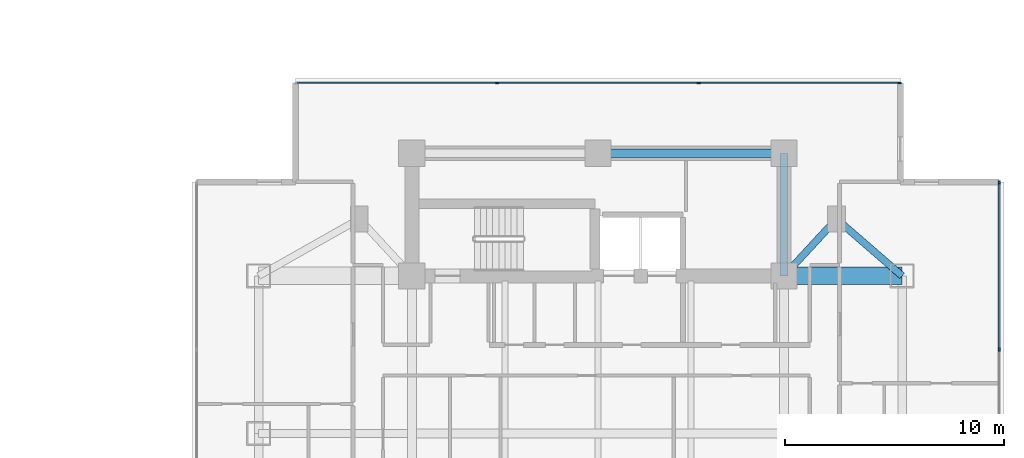
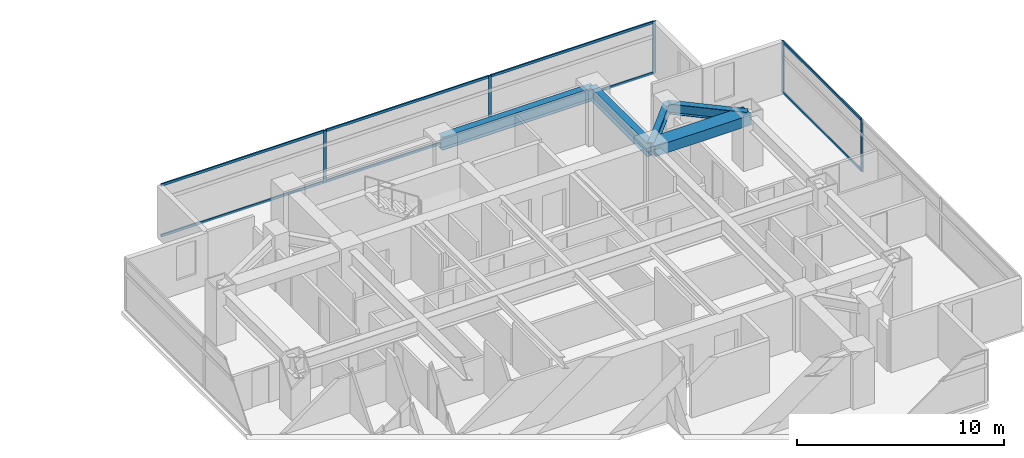
# One storey, part 10 of 25: 13 members, 5 beams, 2 elements without a shape of their own.
"""IFC4 building model written with IfcOpenShell, lengths in metres."""

import ifcopenshell
import ifcopenshell.guid

model = None  # the IFC model being written
_history = None  # IfcOwnerHistory: only IFC2X3 demands one
_inside = {}  # id of a spatial element -> (the spatial element, [elements in it])
_under = {}  # id of a project, library or spatial element -> (it, [spatial elements below it])
_declared = {}  # id of a project -> (the project, [libraries it declares])
_typed = {}  # id of a type object -> (the type object, [elements of that type])
_made_of = {}  # id of a material, layer set ... -> (it, [elements and type objects made of it])


def new_model(schema):
    """Start an empty IFC model of exactly this schema.

    Asked for "IFC4X3", IfcOpenShell would pick the latest addendum, in which some entities
    have other attributes; the version numbers below select the first issue.
    IFC2X3 requires an IfcOwnerHistory on every rooted entity: one is made here for all.
    """
    global model, _history
    if schema == "IFC4X3":
        model = ifcopenshell.file(schema_version=(4, 3, 0, 0))
    else:
        model = ifcopenshell.file(schema=schema)
    _inside.clear()
    _under.clear()
    _declared.clear()
    _typed.clear()
    _made_of.clear()
    _history = None
    if model.schema == "IFC2X3":
        org = make("IfcOrganization", Name="unknown")
        user = make(
            "IfcPersonAndOrganization",
            ThePerson=make("IfcPerson", FamilyName="unknown"),
            TheOrganization=org,
        )
        app = make(
            "IfcApplication",
            ApplicationDeveloper=org,
            Version="unknown",
            ApplicationFullName="unknown",
            ApplicationIdentifier="unknown",
        )
        _history = make(
            "IfcOwnerHistory",
            OwningUser=user,
            OwningApplication=app,
            ChangeAction="ADDED",
            CreationDate=0,
        )
    return model


def make(cls, **values):
    """One entity of the class cls with the attributes given. An attribute that is None is left unset."""
    return model.create_entity(
        cls, **{name: value for name, value in values.items() if value is not None}
    )


def rooted(cls, **values):
    """An entity with a GlobalId (a new one), such as an element, a storey or a relation."""
    return make(cls, GlobalId=ifcopenshell.guid.new(), OwnerHistory=_history, **values)


def si_unit(unit_type, name, prefix=None):
    """IfcSIUnit, for example si_unit("LENGTHUNIT", "METRE", prefix="MILLI")."""
    return make("IfcSIUnit", UnitType=unit_type, Prefix=prefix, Name=name)


def assignment(units):
    """IfcUnitAssignment: the units of a project."""
    return None if units is None else make("IfcUnitAssignment", Units=units)


def point(xyz):
    """IfcCartesianPoint."""
    return None if xyz is None else make("IfcCartesianPoint", Coordinates=xyz)


def direction(xyz):
    """IfcDirection."""
    return None if xyz is None else make("IfcDirection", DirectionRatios=xyz)


def frame(location, z_axis=None, x_axis=None):
    """IfcAxis2Placement3D, a coordinate frame: its origin and axes. An axis left out is left unset."""
    return make(
        "IfcAxis2Placement3D",
        Location=point(location),
        Axis=direction(z_axis),
        RefDirection=direction(x_axis),
    )


def frame_2d(location, x_axis=None):
    """IfcAxis2Placement2D, a coordinate frame in the plane: its origin and x axis."""
    return make(
        "IfcAxis2Placement2D", Location=point(location), RefDirection=direction(x_axis)
    )


def origin():
    """The frame at (0, 0, 0) with its axes left unset."""
    return frame((0.0, 0.0, 0.0))


def origin_2d():
    """The frame at (0, 0) in the plane with its x axis left unset."""
    return frame_2d((0.0, 0.0))


def place(relative_to, where):
    """IfcLocalPlacement: puts the frame where relative to a parent placement (None: the world)."""
    return make(
        "IfcLocalPlacement", PlacementRelTo=relative_to, RelativePlacement=where
    )


def context(
    kind, dimensions, precision=None, world=None, true_north=None, identifier=None
):
    """IfcGeometricRepresentationContext, for example the 3D "Model" context."""
    return make(
        "IfcGeometricRepresentationContext",
        ContextIdentifier=identifier,
        ContextType=kind,
        CoordinateSpaceDimension=dimensions,
        Precision=precision,
        WorldCoordinateSystem=world,
        TrueNorth=true_north,
    )


def subcontext(parent, identifier, kind, view, scale=None):
    """IfcGeometricRepresentationSubContext, for example "Body" below "Model"."""
    return make(
        "IfcGeometricRepresentationSubContext",
        ContextIdentifier=identifier,
        ContextType=kind,
        ParentContext=parent,
        TargetScale=scale,
        TargetView=view,
    )


def project(units=None, contexts=None):
    """IfcProject with its units and contexts."""
    return rooted(
        "IfcProject",
        Name="project",
        RepresentationContexts=contexts,
        UnitsInContext=assignment(units),
    )


def spatial(cls, under=None, at=None, **own):
    """A site, building, storey or space (cls), placed at a placement, below another one or the project."""
    s = rooted(cls, ObjectPlacement=at, **own)
    if under is not None:
        _under.setdefault(under.id(), (under, []))[1].append(s)
    return s


def profile(cls, at=None, kind="AREA", **sizes):
    """A parametric profile (cls). Its sizes go by their IFC names, for example OverallWidth=200.0."""
    return make(cls, ProfileType=kind, Position=at, **sizes)


def rectangle(**sizes):
    """IfcRectangleProfileDef."""
    return profile("IfcRectangleProfileDef", **sizes)


def i_section(**sizes):
    """IfcIShapeProfileDef."""
    return profile("IfcIShapeProfileDef", **sizes)


def extrude(swept, where, along, depth):
    """IfcExtrudedAreaSolid: the profile swept, set in the frame where, extruded along a direction by depth."""
    return make(
        "IfcExtrudedAreaSolid",
        SweptArea=swept,
        Position=where,
        ExtrudedDirection=direction(along),
        Depth=depth,
    )


def shape(context_of_items, identifier, shape_type, items):
    """IfcShapeRepresentation: the items that make up one representation, for example the "Body"."""
    return make(
        "IfcShapeRepresentation",
        ContextOfItems=context_of_items,
        RepresentationIdentifier=identifier,
        RepresentationType=shape_type,
        Items=items,
    )


def material(Name=None, Category=None):
    """IfcMaterial."""
    return make("IfcMaterial", Name=Name, Category=Category)


def material_profile(
    of_material, cross_section, Name=None, Category=None, Priority=None
):
    """IfcMaterialProfile: a cross section and its material."""
    return make(
        "IfcMaterialProfile",
        Name=Name,
        Material=of_material,
        Profile=cross_section,
        Priority=Priority,
        Category=Category,
    )


def profile_set(profiles, Name=None, composite=None):
    """IfcMaterialProfileSet."""
    return make(
        "IfcMaterialProfileSet",
        Name=Name,
        MaterialProfiles=profiles,
        CompositeProfile=composite,
    )


def made_of(thing, what):
    """Note that an element or type object is made of a material, layer set ...; save() writes the relation."""
    if what is not None:
        _made_of.setdefault(what.id(), (what, []))[1].append(thing)
    return thing


def type_object(cls, material=None, **own):
    """A type object (cls), such as IfcWallType, which elements share."""
    return made_of(rooted(cls, **own), material)


def element(
    cls,
    number,
    at=None,
    inside=None,
    cuts=None,
    type_object=None,
    material=None,
    context=None,
    identifier="Body",
    shape_type=None,
    held_by="IfcProductDefinitionShape",
    body=None,
    shapes=None,
    **own,
):
    """One element of the class cls, such as IfcWall. Its Tag is "e" and its number.

    at: its placement. inside: the storey or other place that contains it. cuts: it is an
    opening in that element (IfcRelVoidsElement). A single representation is given by context,
    identifier, shape_type and body (its items); several are given by shapes. held_by: the class
    of the entity that holds the representations. save() writes the other relations.
    """
    e = rooted(cls, Tag="e%d" % number, ObjectPlacement=at, **own)
    if body is not None:
        shapes = [shape(context, identifier, shape_type, body)]
    if shapes is not None:
        e.Representation = make(held_by, Representations=shapes)
    if inside is not None:
        _inside.setdefault(inside.id(), (inside, []))[1].append(e)
    if cuts is not None:
        rooted(
            "IfcRelVoidsElement", RelatingBuildingElement=cuts, RelatedOpeningElement=e
        )
    if type_object is not None:
        _typed.setdefault(type_object.id(), (type_object, []))[1].append(e)
    return made_of(e, material)


def aggregate(whole, parts):
    """IfcRelAggregates: a whole, such as a stair, and the parts it consists of."""
    return rooted("IfcRelAggregates", RelatingObject=whole, RelatedObjects=parts)


def save(model, path):
    """Write the relations noted so far, then the file.

    IfcRelAggregates (storeys below a building ...), IfcRelContainedInSpatialStructure (elements
    in a storey), IfcRelDefinesByType, IfcRelAssociatesMaterial and IfcRelDeclares: one each for
    every whole, place, type object, material and project.
    """
    for whole, parts in _under.values():
        aggregate(whole, parts)
    for where, things in _inside.values():
        rooted(
            "IfcRelContainedInSpatialStructure",
            RelatedElements=things,
            RelatingStructure=where,
        )
    for kind, things in _typed.values():
        rooted("IfcRelDefinesByType", RelatedObjects=things, RelatingType=kind)
    for what, things in _made_of.values():
        rooted("IfcRelAssociatesMaterial", RelatedObjects=things, RelatingMaterial=what)
    for by, libraries in _declared.values():
        rooted("IfcRelDeclares", RelatingContext=by, RelatedDefinitions=libraries)
    model.write(path)


model = new_model("IFC4")

# Units and contexts
model_context = context("Model", 3, precision=1e-05, world=origin(), true_north=direction((0.0, 1.0)))
body_context = subcontext(model_context, "Body", "Model", "MODEL_VIEW")
ifc_project = project(units=[si_unit("LENGTHUNIT", "METRE"), si_unit("AREAUNIT", "SQUARE_METRE"), si_unit("VOLUMEUNIT", "CUBIC_METRE"), si_unit("PLANEANGLEUNIT", "RADIAN"), si_unit("MASSUNIT", "GRAM", prefix="KILO")], contexts=[model_context])

# Site, building, storey
site_placement = place(None, origin())
site = spatial("IfcSite", under=ifc_project, at=site_placement, CompositionType="ELEMENT")
building_placement = place(site_placement, origin())
building = spatial("IfcBuilding", under=site, at=building_placement, Name="Mirazonda Arch Towers", CompositionType="ELEMENT")
storey_placement = place(building_placement, frame((0.0, 0.0, 104.89990234375)))
storey = spatial("IfcBuildingStorey", under=building, at=storey_placement, Name="L29", CompositionType="ELEMENT", Elevation=104.89990234375)

# Beams
ifc_material_1 = material(Name="Steel ASTM A992 Grade 50", Category="steel")
ifc_material_profile_1 = material_profile(ifc_material_1, i_section(OverallWidth=0.324951171875, OverallDepth=0.615966796875, WebThickness=0.013916015625, FlangeThickness=0.021484375, at=origin_2d()), Name="W24X117")
ifc_profile_set_1 = profile_set([ifc_material_profile_1], Name="Steel ASTM A992 Grade 50")
beam_type_1 = type_object("IfcBeamType", Name="BM-INT-W24X117", PredefinedType="BEAM", material=ifc_profile_set_1)
beam_1_placement = place(storey_placement, frame((87.39990234375, 37.800048828125, 2.772216796875), z_axis=(-0.678251444854, -0.734829897019, 0.0), x_axis=(0.734829897019, -0.678251444854, 0.0)))
element("IfcBeam", 1, at=beam_1_placement, inside=storey, type_object=beam_type_1, Name="L29 Floor Beam BM-T2-L29-PL-NE1", PredefinedType="BEAM", context=body_context, shape_type="SweptSolid", body=[
    extrude(i_section(OverallWidth=0.324951171875, OverallDepth=0.615966796875, WebThickness=0.013916015625, FlangeThickness=0.021484375, at=origin_2d()), origin(), (0.0, 0.0, 1.0), 3.538330078125),
])
beam_2_placement = place(storey_placement, frame((87.39990234375, 37.800048828125, 2.772216796875), z_axis=(0.755676908098, -0.654944585876, 0.0), x_axis=(0.654944585876, 0.755676908098, 0.0)))
element("IfcBeam", 2, at=beam_2_placement, inside=storey, type_object=beam_type_1, Name="L29 Floor Beam BM-T2-L29-PL-NE2", PredefinedType="BEAM", context=body_context, shape_type="SweptSolid", body=[
    extrude(i_section(OverallWidth=0.324951171875, OverallDepth=0.615966796875, WebThickness=0.013916015625, FlangeThickness=0.021484375, at=origin_2d()), origin(), (0.0, 0.0, 1.0), 3.969970703125),
])
ifc_material_profile_2 = material_profile(ifc_material_1, i_section(OverallWidth=0.381103515625, OverallDepth=0.77294921875, WebThickness=0.0166015625, FlangeThickness=0.027099609375, at=origin_2d()), Name="W30X173")
ifc_profile_set_2 = profile_set([ifc_material_profile_2], Name="Steel ASTM A992 Grade 50")
beam_type_2 = type_object("IfcBeamType", Name="BM-INT-W30X173", PredefinedType="USERDEFINED", material=ifc_profile_set_2)
beam_3_placement = place(storey_placement, frame((76.5, 40.800048828125, 2.693603515625), z_axis=(1.0, 0.0, 0.0), x_axis=(0.0, 1.0, 0.0)))
element("IfcBeam", 3, at=beam_3_placement, inside=storey, type_object=beam_type_2, Name="L29 Floor Beam BM-T2-L29-CN2", ObjectType="GIRDER", PredefinedType="USERDEFINED", context=body_context, shape_type="SweptSolid", body=[
    extrude(i_section(OverallWidth=0.381103515625, OverallDepth=0.77294921875, WebThickness=0.0166015625, FlangeThickness=0.027099609375, at=origin_2d()), origin(), (0.0, 0.0, 1.0), 8.5),
])
beam_4_placement = place(storey_placement, frame((85.0, 35.199951171875, 2.693603515625), z_axis=(0.0, 1.0, 0.0), x_axis=(-1.0, 0.0, 0.0)))
element("IfcBeam", 4, at=beam_4_placement, inside=storey, type_object=beam_type_2, Name="L29 Floor Beam BM-T2-L29-CNE", ObjectType="GIRDER", PredefinedType="USERDEFINED", context=body_context, shape_type="SweptSolid", body=[
    extrude(i_section(OverallWidth=0.381103515625, OverallDepth=0.77294921875, WebThickness=0.0166015625, FlangeThickness=0.027099609375, at=origin_2d()), origin(), (0.0, 0.0, 1.0), 5.60009765625),
])
ifc_material_2 = material(Name="Concrete C60/75", Category="concrete")
ifc_material_profile_3 = material_profile(ifc_material_2, rectangle(XDim=0.800048828125, YDim=0.60009765625, at=origin_2d()), Name="RCCB800x600")
ifc_profile_set_3 = profile_set([ifc_material_profile_3], Name="Concrete C60/75")
beam_type_3 = type_object("IfcBeamType", Name="CB-INT-RCCB800x600", PredefinedType="SPANDREL", material=ifc_profile_set_3)
beam_5_placement = place(storey_placement, frame((85.0, 35.199951171875, 2.780029296875), z_axis=(1.0, 0.0, 0.0), x_axis=(0.0, 1.0, 0.0)))
element("IfcBeam", 5, at=beam_5_placement, inside=storey, type_object=beam_type_3, Name="L29 Floor Beam CBC-T2-L29-NE", PredefinedType="SPANDREL", context=body_context, shape_type="SweptSolid", body=[
    extrude(rectangle(XDim=0.800048828125, YDim=0.60009765625, at=origin_2d()), origin(), (0.0, 0.0, 1.0), 5.39990234375),
])

# Curtain wall, members
ifc_material_3 = material(Name="Anodised Aluminium and Low-E Glass", Category="aluminium")
curtain_wall_type = type_object("IfcCurtainWallType", Name="CW-HTL-UNIT", PredefinedType="NOTDEFINED", material=ifc_material_3)
curtain_wall_1_placement = place(storey_placement, origin())
curtain_wall_1 = element("IfcCurtainWall", 6, at=curtain_wall_1_placement, inside=storey, type_object=curtain_wall_type, Name="L29 T2 E Facade CW-L29-T2-E", PredefinedType="NOTDEFINED")
ifc_material_4 = material(Name="Anodised Aluminium Alloy", Category="aluminium")
ifc_material_profile_4 = material_profile(ifc_material_4, rectangle(XDim=0.074951171875, YDim=0.1650390625, at=origin_2d()), Name="ALU-MULL-75x165")
ifc_profile_set_4 = profile_set([ifc_material_profile_4], Name="Anodised Aluminium Alloy")
member_type_1 = type_object("IfcMemberType", Name="MULL-CW-HTL-UNIT", PredefinedType="MULLION", material=ifc_profile_set_4)
member_1_placement = place(storey_placement, frame((94.83251953125, 31.83251953125, 0.0), z_axis=(0.0, 0.0, 1.0), x_axis=(-1.0, 0.0, 0.0)))
member_1 = element("IfcMember", 7, at=member_1_placement, type_object=member_type_1, Name="CW-112 mullion 3", PredefinedType="MULLION", context=body_context, shape_type="SweptSolid", body=[
    extrude(rectangle(XDim=0.074951171875, YDim=0.1650390625, at=origin_2d()), origin(), (0.0, 0.0, 1.0), 3.06005859375),
])
member_2_placement = place(storey_placement, frame((94.83251953125, 39.460205078125, 0.0), z_axis=(0.0, 0.0, 1.0), x_axis=(-1.0, 0.0, 0.0)))
member_2 = element("IfcMember", 8, at=member_2_placement, type_object=member_type_1, Name="CW-112 mullion 4", PredefinedType="MULLION", context=body_context, shape_type="SweptSolid", body=[
    extrude(rectangle(XDim=0.074951171875, YDim=0.1650390625, at=origin_2d()), origin(), (0.0, 0.0, 1.0), 3.06005859375),
])

curtain_wall_2_placement = place(storey_placement, origin())
curtain_wall_2 = element("IfcCurtainWall", 9, at=curtain_wall_2_placement, inside=storey, type_object=curtain_wall_type, Name="L29 T2 N Facade CW-L29-T2-N", PredefinedType="NOTDEFINED")
member_3_placement = place(storey_placement, frame((71.89453125, 44.013916015625, 0.0), z_axis=(0.0, 0.0, 1.0), x_axis=(0.0, 1.0, 0.0)))
member_3 = element("IfcMember", 10, at=member_3_placement, type_object=member_type_1, Name="CW-112 mullion 2", PredefinedType="MULLION", context=body_context, shape_type="SweptSolid", body=[
    extrude(rectangle(XDim=0.074951171875, YDim=0.1650390625, at=origin_2d()), origin(), (0.0, 0.0, 1.0), 3.06005859375),
])
member_4_placement = place(storey_placement, frame((81.10546875, 44.013916015625, 0.0), z_axis=(0.0, 0.0, 1.0), x_axis=(0.0, 1.0, 0.0)))
member_4 = element("IfcMember", 11, at=member_4_placement, type_object=member_type_1, Name="CW-112 mullion 3", PredefinedType="MULLION", context=body_context, shape_type="SweptSolid", body=[
    extrude(rectangle(XDim=0.074951171875, YDim=0.1650390625, at=origin_2d()), origin(), (0.0, 0.0, 1.0), 3.06005859375),
])
member_5_placement = place(storey_placement, frame((90.27880859375, 44.013916015625, 0.0), z_axis=(0.0, 0.0, 1.0), x_axis=(0.0, 1.0, 0.0)))
member_5 = element("IfcMember", 12, at=member_5_placement, type_object=member_type_1, Name="CW-112 mullion 4", PredefinedType="MULLION", context=body_context, shape_type="SweptSolid", body=[
    extrude(rectangle(XDim=0.074951171875, YDim=0.1650390625, at=origin_2d()), origin(), (0.0, 0.0, 1.0), 3.06005859375),
])

# Member
ifc_material_profile_5 = material_profile(ifc_material_4, rectangle(XDim=0.074951171875, YDim=0.14501953125, at=origin_2d()), Name="ALU-TRAN-75x145")
ifc_profile_set_5 = profile_set([ifc_material_profile_5], Name="Anodised Aluminium Alloy")
member_type_2 = type_object("IfcMemberType", Name="TRAN-CW-HTL-UNIT", PredefinedType="USERDEFINED", material=ifc_profile_set_5)
member_6_placement = place(storey_placement, frame((94.83251953125, 31.8701171875, 0.03759765625), z_axis=(0.0, 1.0, 0.0), x_axis=(-1.0, 0.0, 0.0)))
member_6 = element("IfcMember", 13, at=member_6_placement, type_object=member_type_2, Name="CW-112 transom 3.1", ObjectType="TRANSOM", PredefinedType="USERDEFINED", context=body_context, shape_type="SweptSolid", body=[
    extrude(rectangle(XDim=0.074951171875, YDim=0.14501953125, at=origin_2d()), origin(), (0.0, 0.0, 1.0), 7.552490234375),
])

member_7_placement = place(storey_placement, frame((94.83251953125, 31.8701171875, 3.022705078125), z_axis=(0.0, 1.0, 0.0), x_axis=(-1.0, 0.0, 0.0)))
member_7 = element("IfcMember", 14, at=member_7_placement, type_object=member_type_2, Name="CW-112 transom 3.2", ObjectType="TRANSOM", PredefinedType="USERDEFINED", context=body_context, shape_type="SweptSolid", body=[
    extrude(rectangle(XDim=0.074951171875, YDim=0.14501953125, at=origin_2d()), origin(), (0.0, 0.0, 1.0), 7.552490234375),
])

aggregate(curtain_wall_1, [member_1, member_2, member_6, member_7])

member_8_placement = place(storey_placement, frame((62.7587890625, 44.013916015625, 0.03759765625), z_axis=(1.0, 0.0, 0.0), x_axis=(0.0, 1.0, 0.0)))
member_8 = element("IfcMember", 15, at=member_8_placement, type_object=member_type_2, Name="CW-112 transom 1.1", ObjectType="TRANSOM", PredefinedType="USERDEFINED", context=body_context, shape_type="SweptSolid", body=[
    extrude(rectangle(XDim=0.074951171875, YDim=0.14501953125, at=origin_2d()), origin(), (0.0, 0.0, 1.0), 9.098388671875),
])

member_9_placement = place(storey_placement, frame((62.7587890625, 44.013916015625, 3.022705078125), z_axis=(1.0, 0.0, 0.0), x_axis=(0.0, 1.0, 0.0)))
member_9 = element("IfcMember", 16, at=member_9_placement, type_object=member_type_2, Name="CW-112 transom 1.2", ObjectType="TRANSOM", PredefinedType="USERDEFINED", context=body_context, shape_type="SweptSolid", body=[
    extrude(rectangle(XDim=0.074951171875, YDim=0.14501953125, at=origin_2d()), origin(), (0.0, 0.0, 1.0), 9.098388671875),
])

member_10_placement = place(storey_placement, frame((71.93212890625, 44.013916015625, 0.03759765625), z_axis=(1.0, 0.0, 0.0), x_axis=(0.0, 1.0, 0.0)))
member_10 = element("IfcMember", 17, at=member_10_placement, type_object=member_type_2, Name="CW-112 transom 2.1", ObjectType="TRANSOM", PredefinedType="USERDEFINED", context=body_context, shape_type="SweptSolid", body=[
    extrude(rectangle(XDim=0.074951171875, YDim=0.14501953125, at=origin_2d()), origin(), (0.0, 0.0, 1.0), 9.1357421875),
])

member_11_placement = place(storey_placement, frame((71.93212890625, 44.013916015625, 3.022705078125), z_axis=(1.0, 0.0, 0.0), x_axis=(0.0, 1.0, 0.0)))
member_11 = element("IfcMember", 18, at=member_11_placement, type_object=member_type_2, Name="CW-112 transom 2.2", ObjectType="TRANSOM", PredefinedType="USERDEFINED", context=body_context, shape_type="SweptSolid", body=[
    extrude(rectangle(XDim=0.074951171875, YDim=0.14501953125, at=origin_2d()), origin(), (0.0, 0.0, 1.0), 9.1357421875),
])

member_12_placement = place(storey_placement, frame((81.142822265625, 44.013916015625, 0.03759765625), z_axis=(1.0, 0.0, 0.0), x_axis=(0.0, 1.0, 0.0)))
member_12 = element("IfcMember", 19, at=member_12_placement, type_object=member_type_2, Name="CW-112 transom 3.1", ObjectType="TRANSOM", PredefinedType="USERDEFINED", context=body_context, shape_type="SweptSolid", body=[
    extrude(rectangle(XDim=0.074951171875, YDim=0.14501953125, at=origin_2d()), origin(), (0.0, 0.0, 1.0), 9.098388671875),
])

member_13_placement = place(storey_placement, frame((81.142822265625, 44.013916015625, 3.022705078125), z_axis=(1.0, 0.0, 0.0), x_axis=(0.0, 1.0, 0.0)))
member_13 = element("IfcMember", 20, at=member_13_placement, type_object=member_type_2, Name="CW-112 transom 3.2", ObjectType="TRANSOM", PredefinedType="USERDEFINED", context=body_context, shape_type="SweptSolid", body=[
    extrude(rectangle(XDim=0.074951171875, YDim=0.14501953125, at=origin_2d()), origin(), (0.0, 0.0, 1.0), 9.098388671875),
])

aggregate(curtain_wall_2, [member_3, member_4, member_5, member_8, member_9, member_10, member_11, member_12, member_13])

save(model, "model.ifc")
